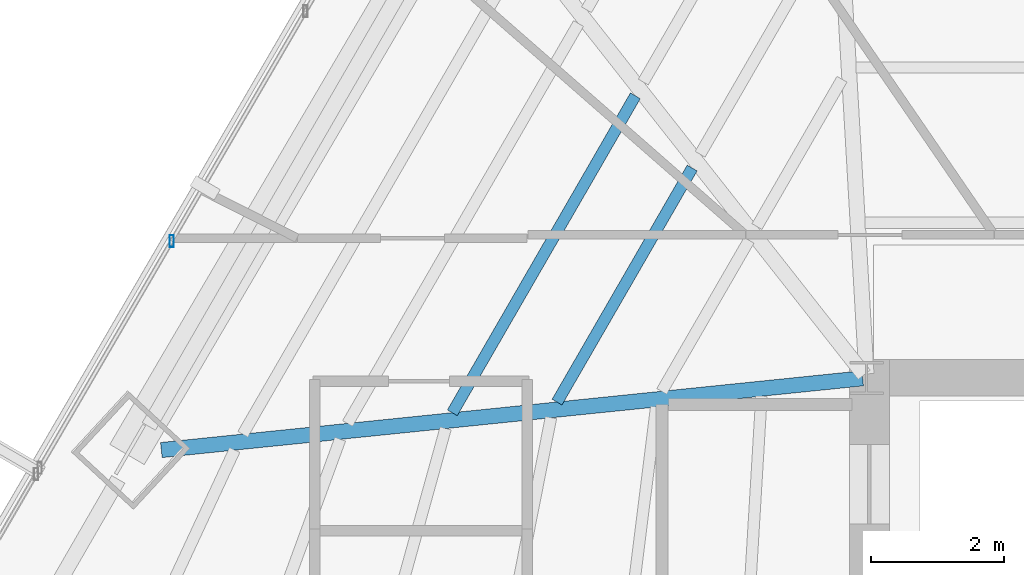
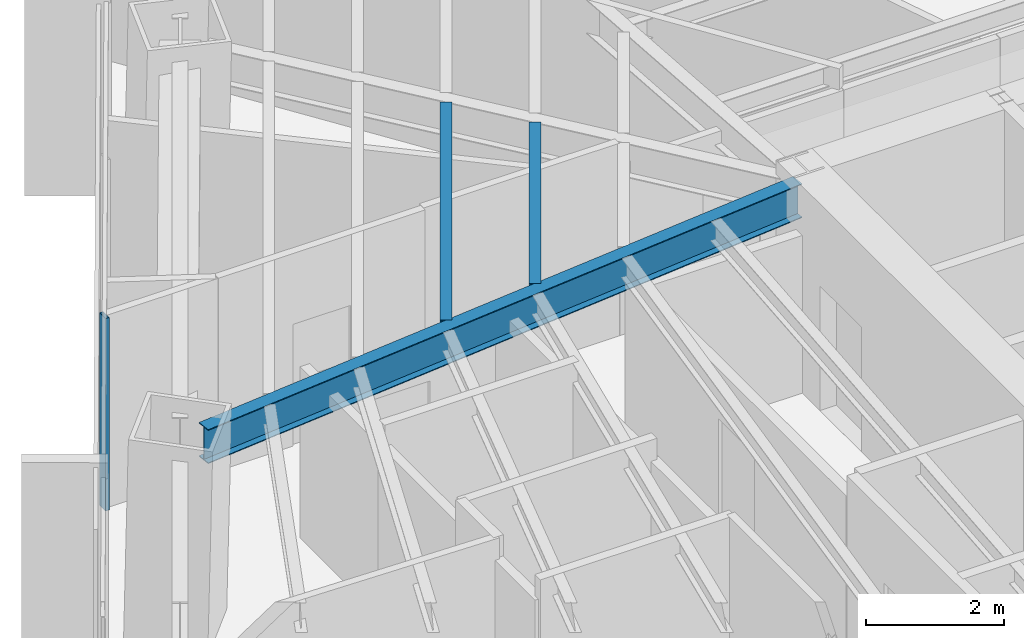
# One storey, part 13 of 36: 3 beams, 1 member, 1 element without a shape of its own.
"""IFC4 building model written with IfcOpenShell, lengths in metres."""

from ifc_helpers import new_model, si_unit, direction, frame, origin, origin_2d, place, context, subcontext, project, spatial, hollow_rectangle, i_section, extrude, source, transform, mapped, material, material_profile, profile_set, type_object, type_shapes, element, aggregate, save


model = new_model("IFC4")

# Units and contexts
model_context = context("Model", 3, precision=1e-05, world=origin(), true_north=direction((0.0, 1.0)))
body_context = subcontext(model_context, "Body", "Model", "MODEL_VIEW")
ifc_project = project(units=[si_unit("LENGTHUNIT", "METRE"), si_unit("AREAUNIT", "SQUARE_METRE"), si_unit("VOLUMEUNIT", "CUBIC_METRE"), si_unit("PLANEANGLEUNIT", "RADIAN"), si_unit("MASSUNIT", "GRAM", prefix="KILO")], contexts=[model_context])

# Site, building, storey
site_placement = place(None, origin())
site = spatial("IfcSite", under=ifc_project, at=site_placement, CompositionType="ELEMENT")
building_placement = place(site_placement, origin())
building = spatial("IfcBuilding", under=site, at=building_placement, Name="Caelisora Broadcast Tower", CompositionType="ELEMENT")
storey_placement = place(building_placement, frame((0.0, 0.0, 60.449951171875)))
storey = spatial("IfcBuildingStorey", under=building, at=storey_placement, Name="L15", CompositionType="ELEMENT", Elevation=60.449951171875)

# Beams
ifc_material_1 = material(Name="Steel Grade 350 (AS/NZS 3679.1)", Category="steel")
ifc_material_profile_1 = material_profile(ifc_material_1, i_section(OverallWidth=0.22802734375, OverallDepth=0.602294921875, WebThickness=0.010498046875, FlangeThickness=0.014892578125, at=origin_2d()), Name="Steel Grade 350 (AS/NZS 3679.1)")
ifc_profile_set_1 = profile_set([ifc_material_profile_1], Name="Steel Grade 350 (AS/NZS 3679.1)")
beam_type_1 = type_object("IfcBeamType", Name="PG04", PredefinedType="BEAM", material=ifc_profile_set_1)
shared_shape_1 = source(origin(), body_context, "Body", "SweptSolid", [
    extrude(i_section(OverallWidth=0.22802734375, OverallDepth=0.602294921875, WebThickness=0.010498046875, FlangeThickness=0.014892578125, at=origin_2d()), origin(), (0.0, 0.0, 1.0), 10.599609375),
])
type_shapes(beam_type_1, [shared_shape_1])
beam_1_placement = place(storey_placement, frame((30.440185546875, 29.993896484375, 3.098876953125), z_axis=(-0.994809095259, -0.101758852142, 0.0), x_axis=(0.101758852142, -0.994809095259, 0.0)))
element("IfcBeam", 1, at=beam_1_placement, inside=storey, type_object=beam_type_1, Name="L15 beam PG04", PredefinedType="BEAM", context=body_context, shape_type="MappedRepresentation", body=[
    mapped(shared_shape_1, transform((0.0, 0.0, 0.0), scale=1.0)),
])
ifc_material_profile_2 = material_profile(ifc_material_1, i_section(OverallWidth=0.172119140625, OverallDepth=0.358642578125, WebThickness=0.008056640625, FlangeThickness=0.012939453125, at=origin_2d()), Name="Steel Grade 350 (AS/NZS 3679.1)")
ifc_profile_set_2 = profile_set([ifc_material_profile_2], Name="Steel Grade 350 (AS/NZS 3679.1)")
beam_type_2 = type_object("IfcBeamType", Name="SB02", PredefinedType="JOIST", material=ifc_profile_set_2)
shared_shape_2 = source(origin(), body_context, "Body", "SweptSolid", [
    extrude(i_section(OverallWidth=0.172119140625, OverallDepth=0.358642578125, WebThickness=0.008056640625, FlangeThickness=0.012939453125, at=origin_2d()), origin(), (0.0, 0.0, 1.0), 4.063720703125),
])
beam_2_placement = place(storey_placement, frame((27.876953125, 33.1552734375, 3.220703125), z_axis=(-0.500022342669, -0.866012503854, 0.0), x_axis=(0.866012503854, -0.500022342669, 0.0)))
element("IfcBeam", 2, at=beam_2_placement, inside=storey, type_object=beam_type_2, Name="L15 beam SB02", PredefinedType="JOIST", context=body_context, shape_type="MappedRepresentation", body=[
    mapped(shared_shape_2, transform((0.0, 0.0, 0.0), scale=1.0)),
])
shared_shape_3 = source(origin(), body_context, "Body", "SweptSolid", [
    extrude(i_section(OverallWidth=0.172119140625, OverallDepth=0.358642578125, WebThickness=0.008056640625, FlangeThickness=0.012939453125, at=origin_2d()), origin(), (0.0, 0.0, 1.0), 5.504150390625),
])
type_shapes(beam_type_2, [shared_shape_2, shared_shape_3])
beam_3_placement = place(storey_placement, frame((27.0224609375, 34.24169921875, 3.220703125), z_axis=(-0.499974583917, -0.866040077269, 0.0), x_axis=(0.866040077269, -0.499974583917, 0.0)))
element("IfcBeam", 3, at=beam_3_placement, inside=storey, type_object=beam_type_2, Name="L15 beam SB02", PredefinedType="JOIST", context=body_context, shape_type="MappedRepresentation", body=[
    mapped(shared_shape_3, transform((0.0, 0.0, 0.0), scale=1.0)),
])

# Curtain wall, member
ifc_material_2 = material(Name="Unitised Aluminium Insulated Shadow-Box Spandrel Curtain Wall", Category="aluminium")
curtain_wall_type = type_object("IfcCurtainWallType", Name="CW-SP1", PredefinedType="NOTDEFINED", material=ifc_material_2)
curtain_wall_placement = place(storey_placement, origin())
curtain_wall = element("IfcCurtainWall", 4, at=curtain_wall_placement, inside=storey, type_object=curtain_wall_type, Name="L15 curtain wall CW-SP1", PredefinedType="NOTDEFINED")
ifc_material_3 = material(Name="Aluminium 6063-T6 Anodised Terracotta Bronze", Category="aluminium")
ifc_material_profile_3 = material_profile(ifc_material_3, hollow_rectangle(XDim=0.06494140625, YDim=0.179931640625, WallThickness=0.00341796875, at=origin_2d()), Name="Aluminium 6063-T6 Anodised Terracotta Bronze")
ifc_profile_set_3 = profile_set([ifc_material_profile_3], Name="Aluminium 6063-T6 Anodised Terracotta Bronze")
member_type = type_object("IfcMemberType", Name="CWM-02", PredefinedType="MULLION", material=ifc_profile_set_3)
shared_shape_4 = source(origin(), body_context, "Body", "SweptSolid", [
    extrude(hollow_rectangle(XDim=0.06494140625, YDim=0.179931640625, WallThickness=0.00341796875, at=origin_2d()), origin(), (0.0, 0.0, 1.0), 3.400146484375),
])
type_shapes(member_type, [shared_shape_4])
member_placement = place(storey_placement, frame((20.05322265625, 32.05810546875, 0.0), z_axis=(0.0, 0.0, 1.0), x_axis=(1.0, 0.0, 0.0)))
member = element("IfcMember", 5, at=member_placement, type_object=member_type, Name="L15-CW-B10 mullion #1", PredefinedType="MULLION", context=body_context, shape_type="MappedRepresentation", body=[
    mapped(shared_shape_4, transform((0.0, 0.0, 0.0), scale=1.0)),
])
aggregate(curtain_wall, [member])

save(model, "model.ifc")
